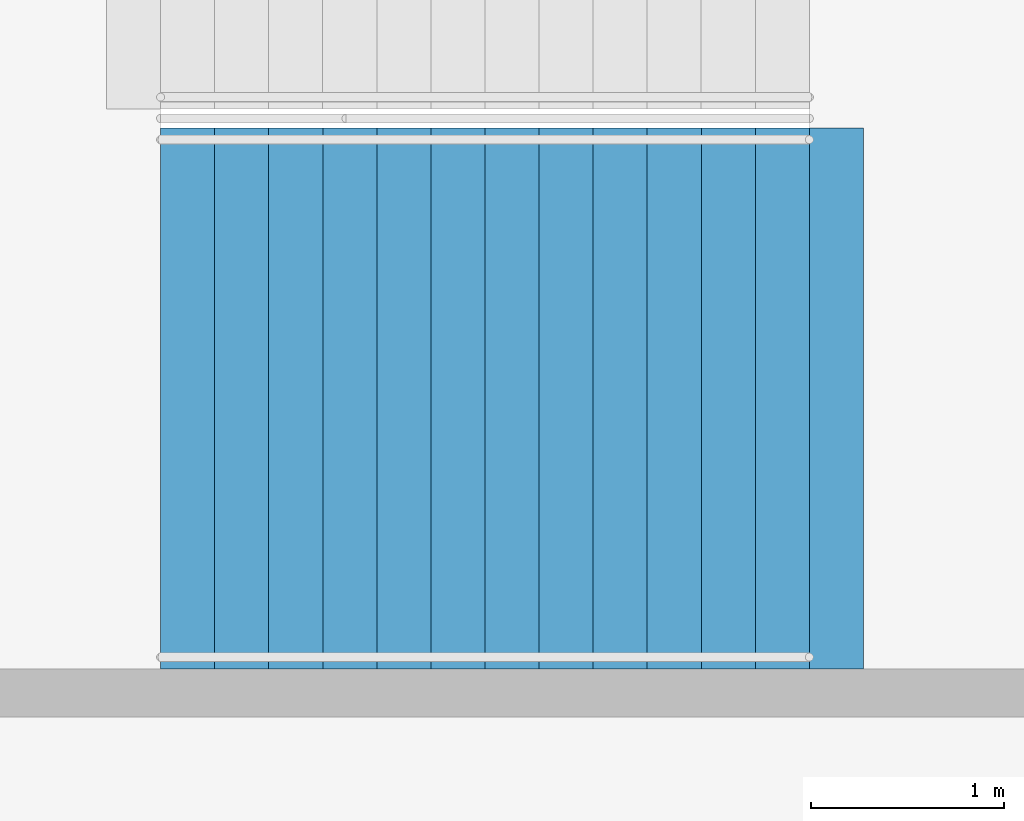
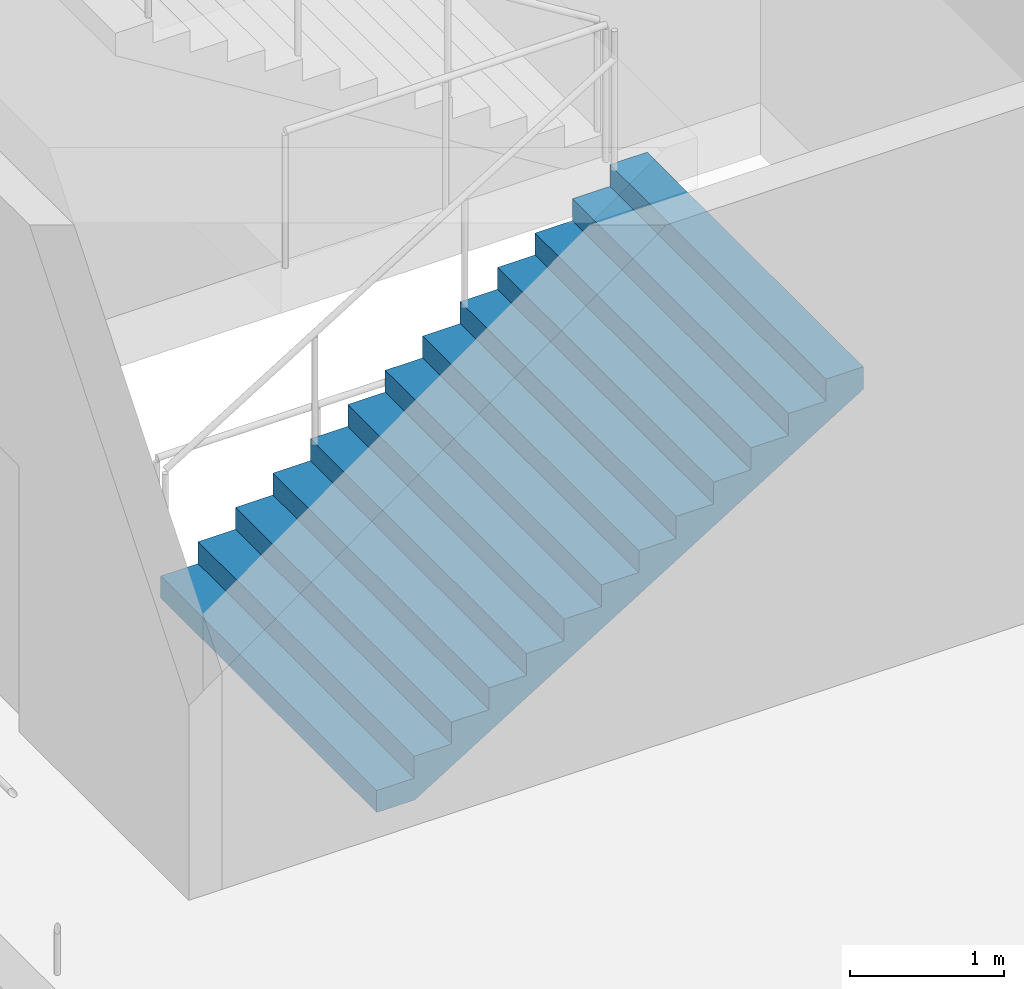
# One storey, part 152 of 177: 1 stair flight, 1 element without a shape of its own.
"""IFC4 building model written with IfcOpenShell, lengths in metres."""

from ifc_helpers import new_model, si_unit, direction, frame, origin, place, context, subcontext, project, spatial, faceted_brep, material, type_object, element, aggregate, save


model = new_model("IFC4")

# Units and contexts
model_context = context("Model", 3, precision=1e-05, world=origin(), true_north=direction((0.0, 1.0)))
body_context = subcontext(model_context, "Body", "Model", "MODEL_VIEW")
ifc_project = project(units=[si_unit("LENGTHUNIT", "METRE"), si_unit("AREAUNIT", "SQUARE_METRE"), si_unit("VOLUMEUNIT", "CUBIC_METRE"), si_unit("PLANEANGLEUNIT", "RADIAN"), si_unit("MASSUNIT", "GRAM", prefix="KILO")], contexts=[model_context])

# Site, building, storey
site_placement = place(None, origin())
site = spatial("IfcSite", under=ifc_project, at=site_placement, CompositionType="ELEMENT")
building_placement = place(site_placement, origin())
building = spatial("IfcBuilding", under=site, at=building_placement, Name="Ogive Plaza Stadium", CompositionType="ELEMENT")
storey_placement = place(building_placement, frame((0.0, 0.0, 18.0)))
storey = spatial("IfcBuildingStorey", under=building, at=storey_placement, Name="L04", CompositionType="ELEMENT", Elevation=18.0)

# Stair, stair flight
ifc_material_1 = material(Name="Concrete C40/50", Category="concrete")
stair_type = type_object("IfcStairType", Name="Exit stair", PredefinedType="STRAIGHT_RUN_STAIR", material=ifc_material_1)
stair_placement = place(storey_placement, origin())
stair = element("IfcStair", 1, at=stair_placement, inside=storey, type_object=stair_type, Name="Exit stair ST02A L04 to L05", PredefinedType="STRAIGHT_RUN_STAIR")
ifc_material_2 = material(Name="Concrete C40/50", Category="concrete")
stair_flight_type = type_object("IfcStairFlightType", Name="Exit stair flight", PredefinedType="STRAIGHT", material=ifc_material_2)
stair_flight_placement = place(storey_placement, frame((76.35009765625, 33.074951171875, 0.0), z_axis=(0.0, 0.0, 1.0), x_axis=(1.0, 0.0, 0.0)))
stair_flight = element("IfcStairFlight", 2, at=stair_flight_placement, type_object=stair_flight_type, Name="ST02A flight 1", NumberOfRisers=13, NumberOfTreads=12, PredefinedType="STRAIGHT", RiserHeight=0.173076923, TreadLength=0.28, context=body_context, shape_type="Brep", body=[
    faceted_brep([(0.28515625, -1.39990234375, 0.0), (3.639892578125, -1.39990234375, 2.07373046875), (3.639892578125, -1.39990234375, 2.25), (3.360107421875, -1.39990234375, 2.25), (3.360107421875, -1.39990234375, 2.076904296875), (3.080078125, -1.39990234375, 2.076904296875), (3.080078125, -1.39990234375, 1.90380859375), (2.800048828125, -1.39990234375, 1.90380859375), (2.800048828125, -1.39990234375, 1.730712890625), (2.52001953125, -1.39990234375, 1.730712890625), (2.52001953125, -1.39990234375, 1.5576171875), (2.239990234375, -1.39990234375, 1.5576171875), (2.239990234375, -1.39990234375, 1.384521484375), (1.9599609375, -1.39990234375, 1.384521484375), (1.9599609375, -1.39990234375, 1.21142578125), (1.679931640625, -1.39990234375, 1.21142578125), (1.679931640625, -1.39990234375, 1.03857421875), (1.39990234375, -1.39990234375, 1.03857421875), (1.39990234375, -1.39990234375, 0.865478515625), (1.1201171875, -1.39990234375, 0.865478515625), (1.1201171875, -1.39990234375, 0.6923828125), (0.840087890625, -1.39990234375, 0.6923828125), (0.840087890625, -1.39990234375, 0.519287109375), (0.56005859375, -1.39990234375, 0.519287109375), (0.56005859375, -1.39990234375, 0.34619140625), (0.280029296875, -1.39990234375, 0.34619140625), (0.280029296875, -1.39990234375, 0.173095703125), (0.0, -1.39990234375, 0.173095703125), (0.0, -1.39990234375, 0.0), (0.0, 1.39990234375, 0.0), (0.0, 1.39990234375, 0.173095703125), (0.280029296875, 1.39990234375, 0.173095703125), (0.280029296875, 1.39990234375, 0.34619140625), (0.56005859375, 1.39990234375, 0.34619140625), (0.56005859375, 1.39990234375, 0.519287109375), (0.840087890625, 1.39990234375, 0.519287109375), (0.840087890625, 1.39990234375, 0.6923828125), (1.1201171875, 1.39990234375, 0.6923828125), (1.1201171875, 1.39990234375, 0.865478515625), (1.39990234375, 1.39990234375, 0.865478515625), (1.39990234375, 1.39990234375, 1.03857421875), (1.679931640625, 1.39990234375, 1.03857421875), (1.679931640625, 1.39990234375, 1.21142578125), (1.9599609375, 1.39990234375, 1.21142578125), (1.9599609375, 1.39990234375, 1.384521484375), (2.239990234375, 1.39990234375, 1.384521484375), (2.239990234375, 1.39990234375, 1.5576171875), (2.52001953125, 1.39990234375, 1.5576171875), (2.52001953125, 1.39990234375, 1.730712890625), (2.800048828125, 1.39990234375, 1.730712890625), (2.800048828125, 1.39990234375, 1.90380859375), (3.080078125, 1.39990234375, 1.90380859375), (3.080078125, 1.39990234375, 2.076904296875), (3.360107421875, 1.39990234375, 2.076904296875), (3.360107421875, 1.39990234375, 2.25), (3.639892578125, 1.39990234375, 2.25), (3.639892578125, 1.39990234375, 2.07373046875), (0.28515625, 1.39990234375, 0.0), (0.28515625, -1.0888671875, 0.0), (3.639892578125, -1.0888671875, 2.07373046875), (0.28515625, -0.77783203125, 0.0), (3.639892578125, -0.77783203125, 2.07373046875), (0.28515625, -0.466796875, 0.0), (3.639892578125, -0.466796875, 2.07373046875), (0.28515625, -0.155517578125, 0.0), (3.639892578125, -0.155517578125, 2.07373046875), (0.28515625, 0.155517578125, 0.0), (3.639892578125, 0.155517578125, 2.07373046875), (0.28515625, 0.466796875, 0.0), (3.639892578125, 0.466796875, 2.07373046875), (0.28515625, 0.77783203125, 0.0), (3.639892578125, 0.77783203125, 2.07373046875), (0.28515625, 1.0888671875, 0.0), (3.639892578125, 1.0888671875, 2.07373046875), (3.639892578125, -1.0888671875, 2.25), (3.639892578125, -0.77783203125, 2.25), (3.639892578125, -0.466796875, 2.25), (3.639892578125, -0.155517578125, 2.25), (3.639892578125, 0.155517578125, 2.25), (3.639892578125, 0.466796875, 2.25), (3.639892578125, 0.77783203125, 2.25), (3.639892578125, 1.0888671875, 2.25), (3.360107421875, -1.0888671875, 2.25), (3.360107421875, -0.77783203125, 2.25), (3.360107421875, -0.466796875, 2.25), (3.360107421875, -0.155517578125, 2.25), (3.360107421875, 0.155517578125, 2.25), (3.360107421875, 0.466796875, 2.25), (3.360107421875, 0.77783203125, 2.25), (3.360107421875, 1.0888671875, 2.25), (3.360107421875, -1.0888671875, 2.076904296875), (3.360107421875, -0.77783203125, 2.076904296875), (3.360107421875, -0.466796875, 2.076904296875), (3.360107421875, -0.155517578125, 2.076904296875), (3.360107421875, 0.155517578125, 2.076904296875), (3.360107421875, 0.466796875, 2.076904296875), (3.360107421875, 0.77783203125, 2.076904296875), (3.360107421875, 1.0888671875, 2.076904296875), (3.080078125, -1.0888671875, 2.076904296875), (3.080078125, -0.77783203125, 2.076904296875), (3.080078125, -0.466796875, 2.076904296875), (3.080078125, -0.155517578125, 2.076904296875), (3.080078125, 0.155517578125, 2.076904296875), (3.080078125, 0.466796875, 2.076904296875), (3.080078125, 0.77783203125, 2.076904296875), (3.080078125, 1.0888671875, 2.076904296875), (3.080078125, -1.0888671875, 1.90380859375), (3.080078125, -0.77783203125, 1.90380859375), (3.080078125, -0.466796875, 1.90380859375), (3.080078125, -0.155517578125, 1.90380859375), (3.080078125, 0.155517578125, 1.90380859375), (3.080078125, 0.466796875, 1.90380859375), (3.080078125, 0.77783203125, 1.90380859375), (3.080078125, 1.0888671875, 1.90380859375), (2.800048828125, -1.0888671875, 1.90380859375), (2.800048828125, -0.77783203125, 1.90380859375), (2.800048828125, -0.466796875, 1.90380859375), (2.800048828125, -0.155517578125, 1.90380859375), (2.800048828125, 0.155517578125, 1.90380859375), (2.800048828125, 0.466796875, 1.90380859375), (2.800048828125, 0.77783203125, 1.90380859375), (2.800048828125, 1.0888671875, 1.90380859375), (2.800048828125, -1.0888671875, 1.730712890625), (2.800048828125, -0.77783203125, 1.730712890625), (2.800048828125, -0.466796875, 1.730712890625), (2.800048828125, -0.155517578125, 1.730712890625), (2.800048828125, 0.155517578125, 1.730712890625), (2.800048828125, 0.466796875, 1.730712890625), (2.800048828125, 0.77783203125, 1.730712890625), (2.800048828125, 1.0888671875, 1.730712890625), (2.52001953125, -1.0888671875, 1.730712890625), (2.52001953125, -0.77783203125, 1.730712890625), (2.52001953125, -0.466796875, 1.730712890625), (2.52001953125, -0.155517578125, 1.730712890625), (2.52001953125, 0.155517578125, 1.730712890625), (2.52001953125, 0.466796875, 1.730712890625), (2.52001953125, 0.77783203125, 1.730712890625), (2.52001953125, 1.0888671875, 1.730712890625), (2.52001953125, -1.0888671875, 1.5576171875), (2.52001953125, -0.77783203125, 1.5576171875), (2.52001953125, -0.466796875, 1.5576171875), (2.52001953125, -0.155517578125, 1.5576171875), (2.52001953125, 0.155517578125, 1.5576171875), (2.52001953125, 0.466796875, 1.5576171875), (2.52001953125, 0.77783203125, 1.5576171875), (2.52001953125, 1.0888671875, 1.5576171875), (2.239990234375, -1.0888671875, 1.5576171875), (2.239990234375, -0.77783203125, 1.5576171875), (2.239990234375, -0.466796875, 1.5576171875), (2.239990234375, -0.155517578125, 1.5576171875), (2.239990234375, 0.155517578125, 1.5576171875), (2.239990234375, 0.466796875, 1.5576171875), (2.239990234375, 0.77783203125, 1.5576171875), (2.239990234375, 1.0888671875, 1.5576171875), (2.239990234375, -1.0888671875, 1.384521484375), (2.239990234375, -0.77783203125, 1.384521484375), (2.239990234375, -0.466796875, 1.384521484375), (2.239990234375, -0.155517578125, 1.384521484375), (2.239990234375, 0.155517578125, 1.384521484375), (2.239990234375, 0.466796875, 1.384521484375), (2.239990234375, 0.77783203125, 1.384521484375), (2.239990234375, 1.0888671875, 1.384521484375), (1.9599609375, -1.0888671875, 1.384521484375), (1.9599609375, -0.77783203125, 1.384521484375), (1.9599609375, -0.466796875, 1.384521484375), (1.9599609375, -0.155517578125, 1.384521484375), (1.9599609375, 0.155517578125, 1.384521484375), (1.9599609375, 0.466796875, 1.384521484375), (1.9599609375, 0.77783203125, 1.384521484375), (1.9599609375, 1.0888671875, 1.384521484375), (1.9599609375, -1.0888671875, 1.21142578125), (1.9599609375, -0.77783203125, 1.21142578125), (1.9599609375, -0.466796875, 1.21142578125), (1.9599609375, -0.155517578125, 1.21142578125), (1.9599609375, 0.155517578125, 1.21142578125), (1.9599609375, 0.466796875, 1.21142578125), (1.9599609375, 0.77783203125, 1.21142578125), (1.9599609375, 1.0888671875, 1.21142578125), (1.679931640625, -1.0888671875, 1.21142578125), (1.679931640625, -0.77783203125, 1.21142578125), (1.679931640625, -0.466796875, 1.21142578125), (1.679931640625, -0.155517578125, 1.21142578125), (1.679931640625, 0.155517578125, 1.21142578125), (1.679931640625, 0.466796875, 1.21142578125), (1.679931640625, 0.77783203125, 1.21142578125), (1.679931640625, 1.0888671875, 1.21142578125), (1.679931640625, -1.0888671875, 1.03857421875), (1.679931640625, -0.77783203125, 1.03857421875), (1.679931640625, -0.466796875, 1.03857421875), (1.679931640625, -0.155517578125, 1.03857421875), (1.679931640625, 0.155517578125, 1.03857421875), (1.679931640625, 0.466796875, 1.03857421875), (1.679931640625, 0.77783203125, 1.03857421875), (1.679931640625, 1.0888671875, 1.03857421875), (1.39990234375, -1.0888671875, 1.03857421875), (1.39990234375, -0.77783203125, 1.03857421875), (1.39990234375, -0.466796875, 1.03857421875), (1.39990234375, -0.155517578125, 1.03857421875), (1.39990234375, 0.155517578125, 1.03857421875), (1.39990234375, 0.466796875, 1.03857421875), (1.39990234375, 0.77783203125, 1.03857421875), (1.39990234375, 1.0888671875, 1.03857421875), (1.39990234375, -1.0888671875, 0.865478515625), (1.39990234375, -0.77783203125, 0.865478515625), (1.39990234375, -0.466796875, 0.865478515625), (1.39990234375, -0.155517578125, 0.865478515625), (1.39990234375, 0.155517578125, 0.865478515625), (1.39990234375, 0.466796875, 0.865478515625), (1.39990234375, 0.77783203125, 0.865478515625), (1.39990234375, 1.0888671875, 0.865478515625), (1.1201171875, -1.0888671875, 0.865478515625), (1.1201171875, -0.77783203125, 0.865478515625), (1.1201171875, -0.466796875, 0.865478515625), (1.1201171875, -0.155517578125, 0.865478515625), (1.1201171875, 0.155517578125, 0.865478515625), (1.1201171875, 0.466796875, 0.865478515625), (1.1201171875, 0.77783203125, 0.865478515625), (1.1201171875, 1.0888671875, 0.865478515625), (1.1201171875, -1.0888671875, 0.6923828125), (1.1201171875, -0.77783203125, 0.6923828125), (1.1201171875, -0.466796875, 0.6923828125), (1.1201171875, -0.155517578125, 0.6923828125), (1.1201171875, 0.155517578125, 0.6923828125), (1.1201171875, 0.466796875, 0.6923828125), (1.1201171875, 0.77783203125, 0.6923828125), (1.1201171875, 1.0888671875, 0.6923828125), (0.840087890625, -1.0888671875, 0.6923828125), (0.840087890625, -0.77783203125, 0.6923828125), (0.840087890625, -0.466796875, 0.6923828125), (0.840087890625, -0.155517578125, 0.6923828125), (0.840087890625, 0.155517578125, 0.6923828125), (0.840087890625, 0.466796875, 0.6923828125), (0.840087890625, 0.77783203125, 0.6923828125), (0.840087890625, 1.0888671875, 0.6923828125), (0.840087890625, -1.0888671875, 0.519287109375), (0.840087890625, -0.77783203125, 0.519287109375), (0.840087890625, -0.466796875, 0.519287109375), (0.840087890625, -0.155517578125, 0.519287109375), (0.840087890625, 0.155517578125, 0.519287109375), (0.840087890625, 0.466796875, 0.519287109375), (0.840087890625, 0.77783203125, 0.519287109375), (0.840087890625, 1.0888671875, 0.519287109375), (0.56005859375, -1.0888671875, 0.519287109375), (0.56005859375, -0.77783203125, 0.519287109375), (0.56005859375, -0.466796875, 0.519287109375), (0.56005859375, -0.155517578125, 0.519287109375), (0.56005859375, 0.155517578125, 0.519287109375), (0.56005859375, 0.466796875, 0.519287109375), (0.56005859375, 0.77783203125, 0.519287109375), (0.56005859375, 1.0888671875, 0.519287109375), (0.56005859375, -1.0888671875, 0.34619140625), (0.56005859375, -0.77783203125, 0.34619140625), (0.56005859375, -0.466796875, 0.34619140625), (0.56005859375, -0.155517578125, 0.34619140625), (0.56005859375, 0.155517578125, 0.34619140625), (0.56005859375, 0.466796875, 0.34619140625), (0.56005859375, 0.77783203125, 0.34619140625), (0.56005859375, 1.0888671875, 0.34619140625), (0.280029296875, -1.0888671875, 0.34619140625), (0.280029296875, -0.77783203125, 0.34619140625), (0.280029296875, -0.466796875, 0.34619140625), (0.280029296875, -0.155517578125, 0.34619140625), (0.280029296875, 0.155517578125, 0.34619140625), (0.280029296875, 0.466796875, 0.34619140625), (0.280029296875, 0.77783203125, 0.34619140625), (0.280029296875, 1.0888671875, 0.34619140625), (0.280029296875, -1.0888671875, 0.173095703125), (0.280029296875, -0.77783203125, 0.173095703125), (0.280029296875, -0.466796875, 0.173095703125), (0.280029296875, -0.155517578125, 0.173095703125), (0.280029296875, 0.155517578125, 0.173095703125), (0.280029296875, 0.466796875, 0.173095703125), (0.280029296875, 0.77783203125, 0.173095703125), (0.280029296875, 1.0888671875, 0.173095703125), (0.0, -1.0888671875, 0.173095703125), (0.0, -0.77783203125, 0.173095703125), (0.0, -0.466796875, 0.173095703125), (0.0, -0.155517578125, 0.173095703125), (0.0, 0.155517578125, 0.173095703125), (0.0, 0.466796875, 0.173095703125), (0.0, 0.77783203125, 0.173095703125), (0.0, 1.0888671875, 0.173095703125), (0.0, -1.0888671875, 0.0), (0.0, -0.77783203125, 0.0), (0.0, -0.466796875, 0.0), (0.0, -0.155517578125, 0.0), (0.0, 0.155517578125, 0.0), (0.0, 0.466796875, 0.0), (0.0, 0.77783203125, 0.0), (0.0, 1.0888671875, 0.0)], [[[0, 1, 2, 3, 4, 5, 6, 7, 8, 9, 10, 11, 12, 13, 14, 15, 16, 17, 18, 19, 20, 21, 22, 23, 24, 25, 26, 27, 28]], [[29, 30, 31, 32, 33, 34, 35, 36, 37, 38, 39, 40, 41, 42, 43, 44, 45, 46, 47, 48, 49, 50, 51, 52, 53, 54, 55, 56, 57]], [[0, 58, 59, 1]], [[58, 60, 61, 59]], [[60, 62, 63, 61]], [[62, 64, 65, 63]], [[64, 66, 67, 65]], [[66, 68, 69, 67]], [[68, 70, 71, 69]], [[70, 72, 73, 71]], [[72, 57, 56, 73]], [[1, 59, 74, 2]], [[59, 61, 75, 74]], [[61, 63, 76, 75]], [[63, 65, 77, 76]], [[65, 67, 78, 77]], [[67, 69, 79, 78]], [[69, 71, 80, 79]], [[71, 73, 81, 80]], [[73, 56, 55, 81]], [[2, 74, 82, 3]], [[74, 75, 83, 82]], [[75, 76, 84, 83]], [[76, 77, 85, 84]], [[77, 78, 86, 85]], [[78, 79, 87, 86]], [[79, 80, 88, 87]], [[80, 81, 89, 88]], [[81, 55, 54, 89]], [[3, 82, 90, 4]], [[82, 83, 91, 90]], [[83, 84, 92, 91]], [[84, 85, 93, 92]], [[85, 86, 94, 93]], [[86, 87, 95, 94]], [[87, 88, 96, 95]], [[88, 89, 97, 96]], [[89, 54, 53, 97]], [[4, 90, 98, 5]], [[90, 91, 99, 98]], [[91, 92, 100, 99]], [[92, 93, 101, 100]], [[93, 94, 102, 101]], [[94, 95, 103, 102]], [[95, 96, 104, 103]], [[96, 97, 105, 104]], [[97, 53, 52, 105]], [[5, 98, 106, 6]], [[98, 99, 107, 106]], [[99, 100, 108, 107]], [[100, 101, 109, 108]], [[101, 102, 110, 109]], [[102, 103, 111, 110]], [[103, 104, 112, 111]], [[104, 105, 113, 112]], [[105, 52, 51, 113]], [[6, 106, 114, 7]], [[106, 107, 115, 114]], [[107, 108, 116, 115]], [[108, 109, 117, 116]], [[109, 110, 118, 117]], [[110, 111, 119, 118]], [[111, 112, 120, 119]], [[112, 113, 121, 120]], [[113, 51, 50, 121]], [[7, 114, 122, 8]], [[114, 115, 123, 122]], [[115, 116, 124, 123]], [[116, 117, 125, 124]], [[117, 118, 126, 125]], [[118, 119, 127, 126]], [[119, 120, 128, 127]], [[120, 121, 129, 128]], [[121, 50, 49, 129]], [[8, 122, 130, 9]], [[122, 123, 131, 130]], [[123, 124, 132, 131]], [[124, 125, 133, 132]], [[125, 126, 134, 133]], [[126, 127, 135, 134]], [[127, 128, 136, 135]], [[128, 129, 137, 136]], [[129, 49, 48, 137]], [[9, 130, 138, 10]], [[130, 131, 139, 138]], [[131, 132, 140, 139]], [[132, 133, 141, 140]], [[133, 134, 142, 141]], [[134, 135, 143, 142]], [[135, 136, 144, 143]], [[136, 137, 145, 144]], [[137, 48, 47, 145]], [[10, 138, 146, 11]], [[138, 139, 147, 146]], [[139, 140, 148, 147]], [[140, 141, 149, 148]], [[141, 142, 150, 149]], [[142, 143, 151, 150]], [[143, 144, 152, 151]], [[144, 145, 153, 152]], [[145, 47, 46, 153]], [[11, 146, 154, 12]], [[146, 147, 155, 154]], [[147, 148, 156, 155]], [[148, 149, 157, 156]], [[149, 150, 158, 157]], [[150, 151, 159, 158]], [[151, 152, 160, 159]], [[152, 153, 161, 160]], [[153, 46, 45, 161]], [[12, 154, 162, 13]], [[154, 155, 163, 162]], [[155, 156, 164, 163]], [[156, 157, 165, 164]], [[157, 158, 166, 165]], [[158, 159, 167, 166]], [[159, 160, 168, 167]], [[160, 161, 169, 168]], [[161, 45, 44, 169]], [[13, 162, 170, 14]], [[162, 163, 171, 170]], [[163, 164, 172, 171]], [[164, 165, 173, 172]], [[165, 166, 174, 173]], [[166, 167, 175, 174]], [[167, 168, 176, 175]], [[168, 169, 177, 176]], [[169, 44, 43, 177]], [[14, 170, 178, 15]], [[170, 171, 179, 178]], [[171, 172, 180, 179]], [[172, 173, 181, 180]], [[173, 174, 182, 181]], [[174, 175, 183, 182]], [[175, 176, 184, 183]], [[176, 177, 185, 184]], [[177, 43, 42, 185]], [[15, 178, 186, 16]], [[178, 179, 187, 186]], [[179, 180, 188, 187]], [[180, 181, 189, 188]], [[181, 182, 190, 189]], [[182, 183, 191, 190]], [[183, 184, 192, 191]], [[184, 185, 193, 192]], [[185, 42, 41, 193]], [[16, 186, 194, 17]], [[186, 187, 195, 194]], [[187, 188, 196, 195]], [[188, 189, 197, 196]], [[189, 190, 198, 197]], [[190, 191, 199, 198]], [[191, 192, 200, 199]], [[192, 193, 201, 200]], [[193, 41, 40, 201]], [[17, 194, 202, 18]], [[194, 195, 203, 202]], [[195, 196, 204, 203]], [[196, 197, 205, 204]], [[197, 198, 206, 205]], [[198, 199, 207, 206]], [[199, 200, 208, 207]], [[200, 201, 209, 208]], [[201, 40, 39, 209]], [[18, 202, 210, 19]], [[202, 203, 211, 210]], [[203, 204, 212, 211]], [[204, 205, 213, 212]], [[205, 206, 214, 213]], [[206, 207, 215, 214]], [[207, 208, 216, 215]], [[208, 209, 217, 216]], [[209, 39, 38, 217]], [[19, 210, 218, 20]], [[210, 211, 219, 218]], [[211, 212, 220, 219]], [[212, 213, 221, 220]], [[213, 214, 222, 221]], [[214, 215, 223, 222]], [[215, 216, 224, 223]], [[216, 217, 225, 224]], [[217, 38, 37, 225]], [[20, 218, 226, 21]], [[218, 219, 227, 226]], [[219, 220, 228, 227]], [[220, 221, 229, 228]], [[221, 222, 230, 229]], [[222, 223, 231, 230]], [[223, 224, 232, 231]], [[224, 225, 233, 232]], [[225, 37, 36, 233]], [[21, 226, 234, 22]], [[226, 227, 235, 234]], [[227, 228, 236, 235]], [[228, 229, 237, 236]], [[229, 230, 238, 237]], [[230, 231, 239, 238]], [[231, 232, 240, 239]], [[232, 233, 241, 240]], [[233, 36, 35, 241]], [[22, 234, 242, 23]], [[234, 235, 243, 242]], [[235, 236, 244, 243]], [[236, 237, 245, 244]], [[237, 238, 246, 245]], [[238, 239, 247, 246]], [[239, 240, 248, 247]], [[240, 241, 249, 248]], [[241, 35, 34, 249]], [[23, 242, 250, 24]], [[242, 243, 251, 250]], [[243, 244, 252, 251]], [[244, 245, 253, 252]], [[245, 246, 254, 253]], [[246, 247, 255, 254]], [[247, 248, 256, 255]], [[248, 249, 257, 256]], [[249, 34, 33, 257]], [[24, 250, 258, 25]], [[250, 251, 259, 258]], [[251, 252, 260, 259]], [[252, 253, 261, 260]], [[253, 254, 262, 261]], [[254, 255, 263, 262]], [[255, 256, 264, 263]], [[256, 257, 265, 264]], [[257, 33, 32, 265]], [[25, 258, 266, 26]], [[258, 259, 267, 266]], [[259, 260, 268, 267]], [[260, 261, 269, 268]], [[261, 262, 270, 269]], [[262, 263, 271, 270]], [[263, 264, 272, 271]], [[264, 265, 273, 272]], [[265, 32, 31, 273]], [[26, 266, 274, 27]], [[266, 267, 275, 274]], [[267, 268, 276, 275]], [[268, 269, 277, 276]], [[269, 270, 278, 277]], [[270, 271, 279, 278]], [[271, 272, 280, 279]], [[272, 273, 281, 280]], [[273, 31, 30, 281]], [[27, 274, 282, 28]], [[274, 275, 283, 282]], [[275, 276, 284, 283]], [[276, 277, 285, 284]], [[277, 278, 286, 285]], [[278, 279, 287, 286]], [[279, 280, 288, 287]], [[280, 281, 289, 288]], [[281, 30, 29, 289]], [[28, 282, 58, 0]], [[282, 283, 60, 58]], [[283, 284, 62, 60]], [[284, 285, 64, 62]], [[285, 286, 66, 64]], [[286, 287, 68, 66]], [[287, 288, 70, 68]], [[288, 289, 72, 70]], [[289, 29, 57, 72]]]),
])
aggregate(stair, [stair_flight])

save(model, "model.ifc")
